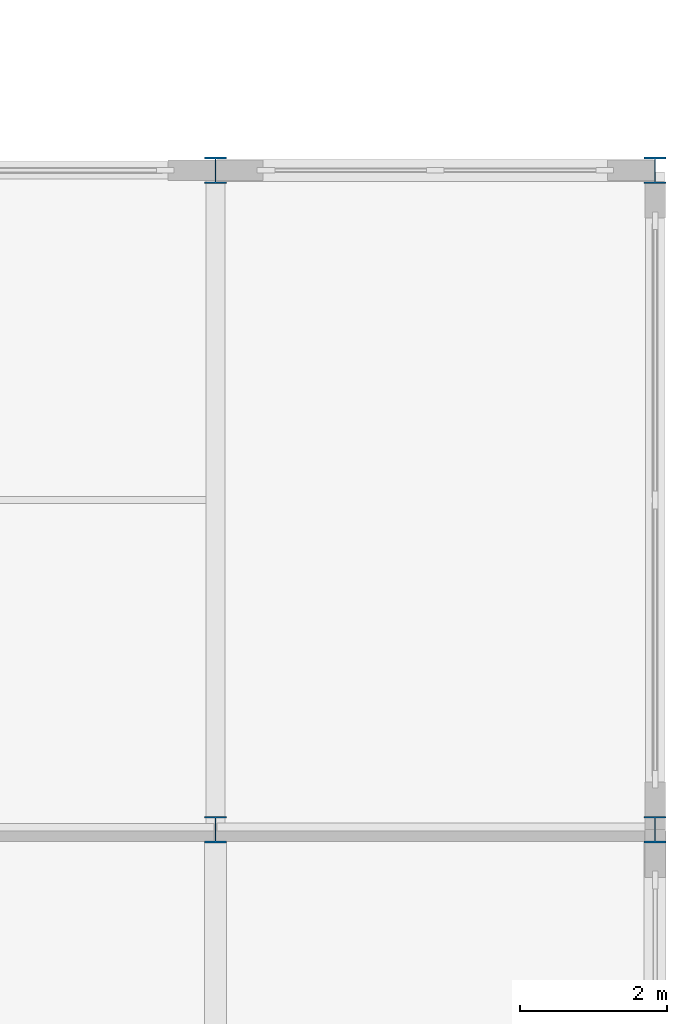
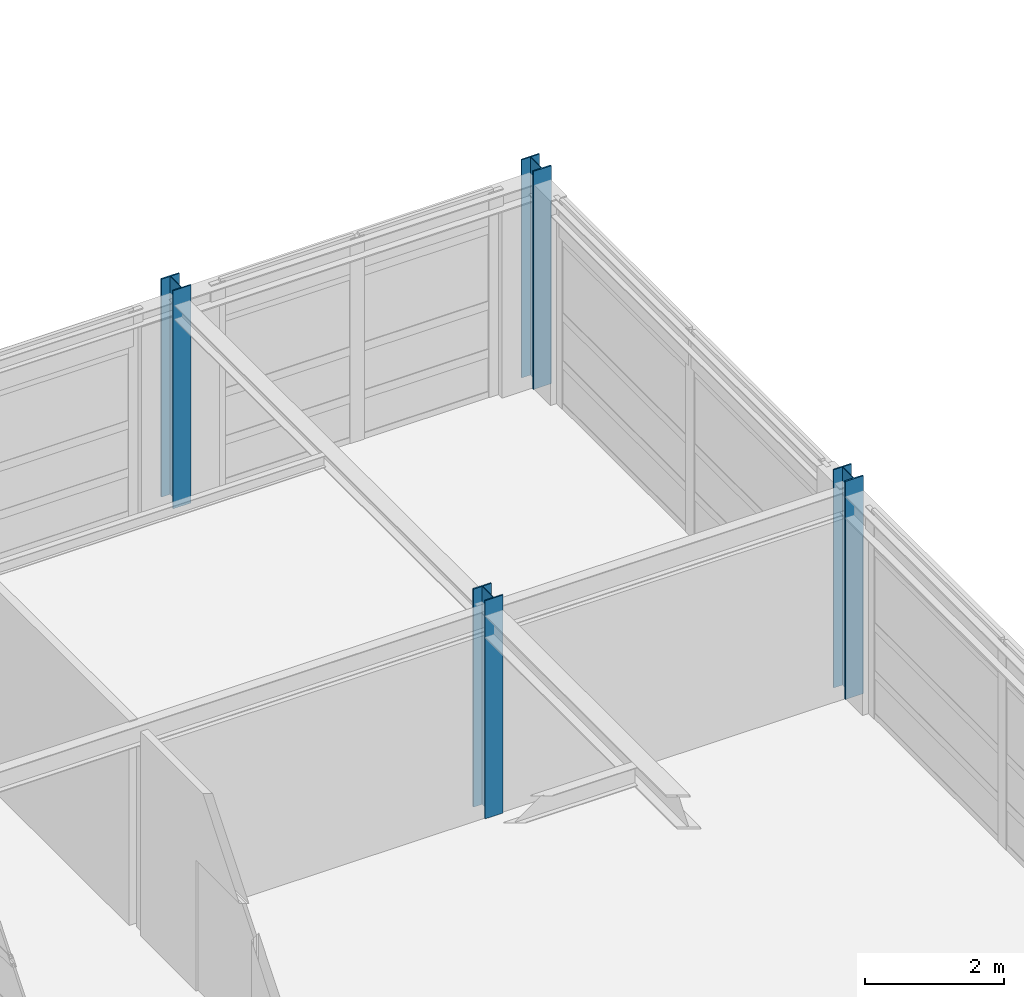
# One storey, part 17 of 79: 4 columns.
"""IFC4 building model written with IfcOpenShell, lengths in metres."""

from ifc_helpers import new_model, si_unit, direction, frame, origin, origin_2d, place, context, subcontext, project, spatial, i_section, extrude, material, material_profile, profile_set, type_object, element, save


model = new_model("IFC4")

# Units and contexts
model_context = context("Model", 3, precision=1e-05, world=origin(), true_north=direction((0.0, 1.0)))
body_context = subcontext(model_context, "Body", "Model", "MODEL_VIEW")
ifc_project = project(units=[si_unit("LENGTHUNIT", "METRE"), si_unit("AREAUNIT", "SQUARE_METRE"), si_unit("VOLUMEUNIT", "CUBIC_METRE"), si_unit("PLANEANGLEUNIT", "RADIAN"), si_unit("MASSUNIT", "GRAM", prefix="KILO")], contexts=[model_context])

# Site, building, storey
site_placement = place(None, origin())
site = spatial("IfcSite", under=ifc_project, at=site_placement, CompositionType="ELEMENT")
building_placement = place(site_placement, origin())
building = spatial("IfcBuilding", under=site, at=building_placement, Name="Palais des Congres Ocreval", CompositionType="ELEMENT")
storey_placement = place(building_placement, frame((0.0, 0.0, 4.320068359375)))
storey = spatial("IfcBuildingStorey", under=building, at=storey_placement, Name="L01", CompositionType="ELEMENT", Elevation=4.320068359375)

# Columns
ifc_material = material(Name="Steel S355", Category="steel")
ifc_material_profile = material_profile(ifc_material, i_section(OverallWidth=0.300048828125, OverallDepth=0.360107421875, WebThickness=0.012451171875, FlangeThickness=0.0224609375, at=origin_2d()), Name="HEB 360")
ifc_profile_set = profile_set([ifc_material_profile], Name="Steel S355")
column_type = type_object("IfcColumnType", Name="Column HEB 360 Steel S355", PredefinedType="COLUMN", material=ifc_profile_set)
for number, where, z_axis, x_axis, name in (
    (1, (162.0, 36.0, 0.0), (0.0, 0.0, 1.0), (1.0, 0.0, 0.0), "Column C11 L01"),
    (2, (162.0, 45.0, 0.0), (0.0, 0.0, 1.0), (1.0, 0.0, 0.0), "Column C11 L01"),
    (3, (168.0, 36.0, 0.0), (0.0, 0.0, 1.0), (1.0, 0.0, 0.0), "Column C11 L01"),
    (4, (168.0, 45.0, 0.0), (0.0, 0.0, 1.0), (1.0, 0.0, 0.0), "Column C11 L01"),
):
    element("IfcColumn", number, at=place(storey_placement, frame(where, z_axis=z_axis, x_axis=x_axis)), inside=storey, type_object=column_type, Name=name, PredefinedType="COLUMN", context=body_context, shape_type="SweptSolid", body=[
        extrude(i_section(OverallWidth=0.300048828125, OverallDepth=0.360107421875, WebThickness=0.012451171875, FlangeThickness=0.0224609375, at=origin_2d()), origin(), (0.0, 0.0, 1.0), 3.83984375),
    ])

save(model, "model.ifc")
